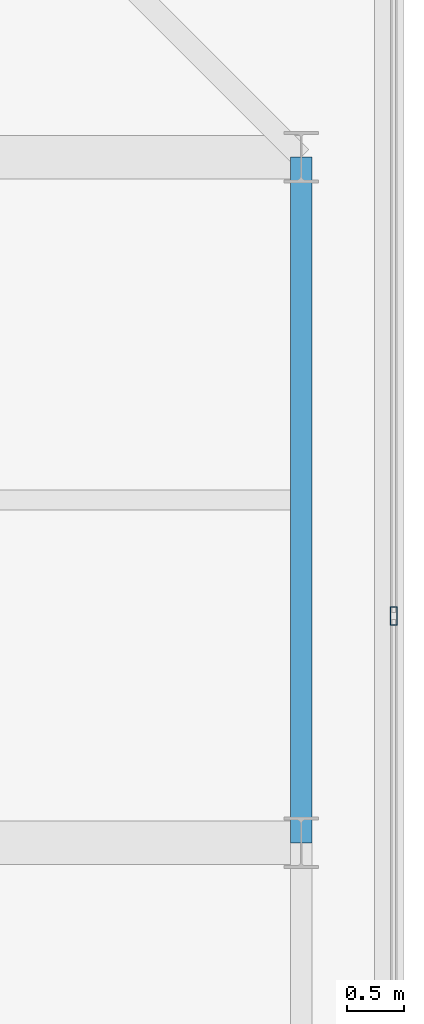
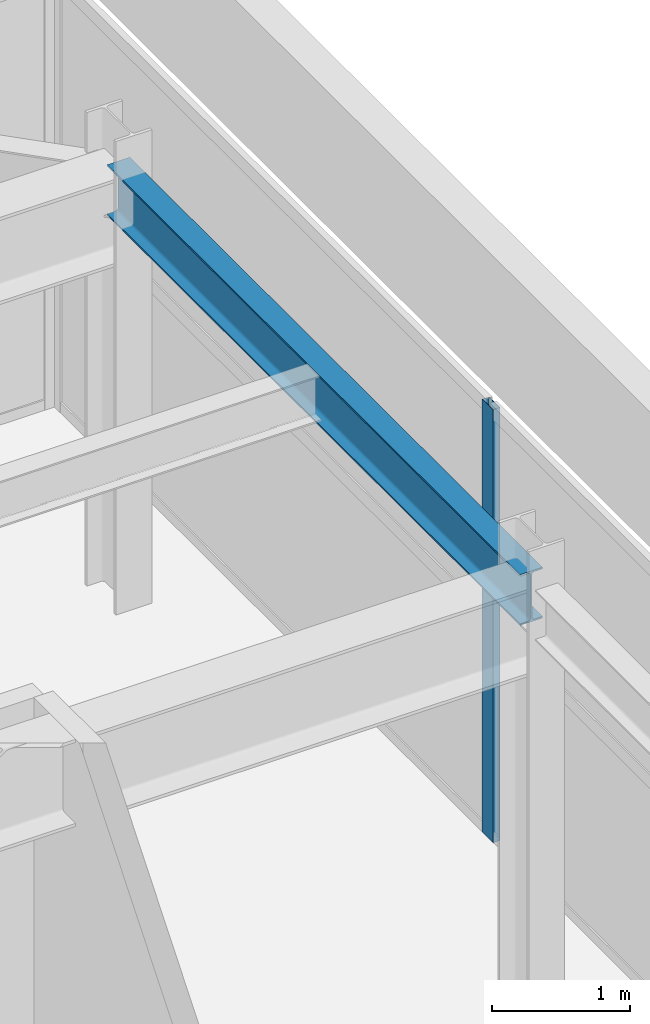
# One storey, part 19 of 33: 1 beam, 1 member, 1 element without a shape of its own.
"""IFC4 building model written with IfcOpenShell, lengths in metres."""

from ifc_helpers import new_model, si_unit, direction, frame, origin, origin_2d, place, context, subcontext, project, spatial, hollow_rectangle, i_section, extrude, source, transform, mapped, material, layer, layer_set, material_profile, profile_set, type_object, element, aggregate, save


model = new_model("IFC4")

# Units and contexts
model_context = context("Model", 3, precision=1e-05, world=origin(), true_north=direction((0.0, 1.0)))
body_context = subcontext(model_context, "Body", "Model", "MODEL_VIEW")
ifc_project = project(units=[si_unit("LENGTHUNIT", "METRE"), si_unit("AREAUNIT", "SQUARE_METRE"), si_unit("VOLUMEUNIT", "CUBIC_METRE"), si_unit("PLANEANGLEUNIT", "RADIAN"), si_unit("MASSUNIT", "GRAM", prefix="KILO")], contexts=[model_context])

# Site, building, storey
site_placement = place(None, origin())
site = spatial("IfcSite", under=ifc_project, at=site_placement, CompositionType="ELEMENT")
building_placement = place(site_placement, origin())
building = spatial("IfcBuilding", under=site, at=building_placement, Name="Khoralis Quay Care Tower", CompositionType="ELEMENT")
storey_placement = place(building_placement, frame((0.0, 0.0, 314.699951171875)))
storey = spatial("IfcBuildingStorey", under=building, at=storey_placement, Name="L82", CompositionType="ELEMENT", Elevation=314.699951171875)

# Beam
ifc_material_1 = material(Name="Steel S355", Category="steel")
ifc_material_profile_1 = material_profile(ifc_material_1, i_section(OverallWidth=0.18994140625, OverallDepth=0.449951171875, WebThickness=0.009521484375, FlangeThickness=0.0146484375, FilletRadius=0.02099609375, at=origin_2d()), Name="Steel S355")
ifc_profile_set_1 = profile_set([ifc_material_profile_1], Name="Steel S355")
beam_type = type_object("IfcBeamType", Name="BM-IPE450", PredefinedType="SPANDREL", material=ifc_profile_set_1)
shared_shape_1 = source(origin(), body_context, "Body", "SweptSolid", [
    extrude(i_section(OverallWidth=0.18994140625, OverallDepth=0.449951171875, WebThickness=0.009521484375, FlangeThickness=0.0146484375, FilletRadius=0.02099609375, at=origin_2d()), origin(), (0.0, 0.0, 1.0), 6.0),
])
beam_placement = place(storey_placement, frame((41.10009765625, 30.0, 3.614990234375), z_axis=(0.0, 1.0, 0.0), x_axis=(-1.0, 0.0, 0.0)))
element("IfcBeam", 1, at=beam_placement, inside=storey, type_object=beam_type, Name="BM-TSP-L82-16", PredefinedType="SPANDREL", context=body_context, shape_type="MappedRepresentation", body=[
    mapped(shared_shape_1, transform((0.0, 0.0, 0.0), scale=1.0)),
])

# Curtain wall, member
ifc_material_2 = material(Name="Pale anodised aluminium", Category="aluminium")
ifc_layer = layer(ifc_material_2, 0.199951171875)
ifc_layer_set = layer_set([ifc_layer], Name="Pale anodised aluminium")
curtain_wall_type = type_object("IfcCurtainWallType", Name="CW-SYS-LANTERN", PredefinedType="NOTDEFINED", material=ifc_layer_set)
curtain_wall_placement = place(storey_placement, origin())
curtain_wall = element("IfcCurtainWall", 2, at=curtain_wall_placement, inside=storey, type_object=curtain_wall_type, Name="L82 Unitised Curtain Wall CW-LN-L82-06", PredefinedType="NOTDEFINED")
ifc_material_profile_2 = material_profile(ifc_material_2, hollow_rectangle(XDim=0.06005859375, YDim=0.159912109375, WallThickness=0.00390625, at=origin_2d()), Name="Pale anodised aluminium")
ifc_profile_set_2 = profile_set([ifc_material_profile_2], Name="Pale anodised aluminium")
member_type = type_object("IfcMemberType", Name="CW-MUL-160", PredefinedType="MULLION", material=ifc_profile_set_2)
shared_shape_2 = source(origin(), body_context, "Body", "SweptSolid", [
    extrude(hollow_rectangle(XDim=0.06005859375, YDim=0.159912109375, WallThickness=0.00390625, at=origin_2d()), origin(), (0.0, 0.0, 1.0), 3.840087890625),
])
member_placement = place(storey_placement, frame((41.909912109375, 31.986083984375, 0.0), z_axis=(0.0, 0.0, 1.0), x_axis=(-1.0, 0.0, 0.0)))
member = element("IfcMember", 3, at=member_placement, type_object=member_type, Name="CW5 mullion 5", PredefinedType="MULLION", context=body_context, shape_type="MappedRepresentation", body=[
    mapped(shared_shape_2, transform((0.0, 0.0, 0.0), scale=1.0)),
])
aggregate(curtain_wall, [member])

save(model, "model.ifc")
